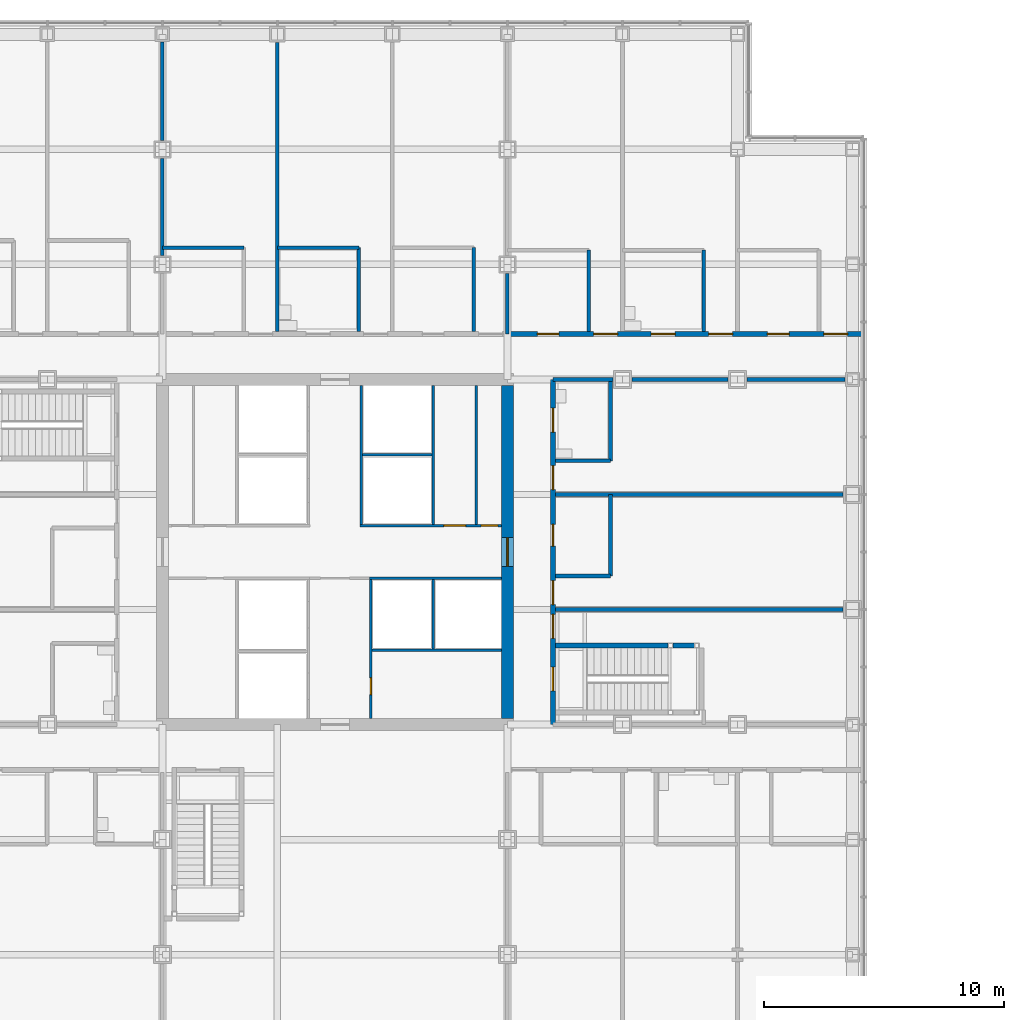
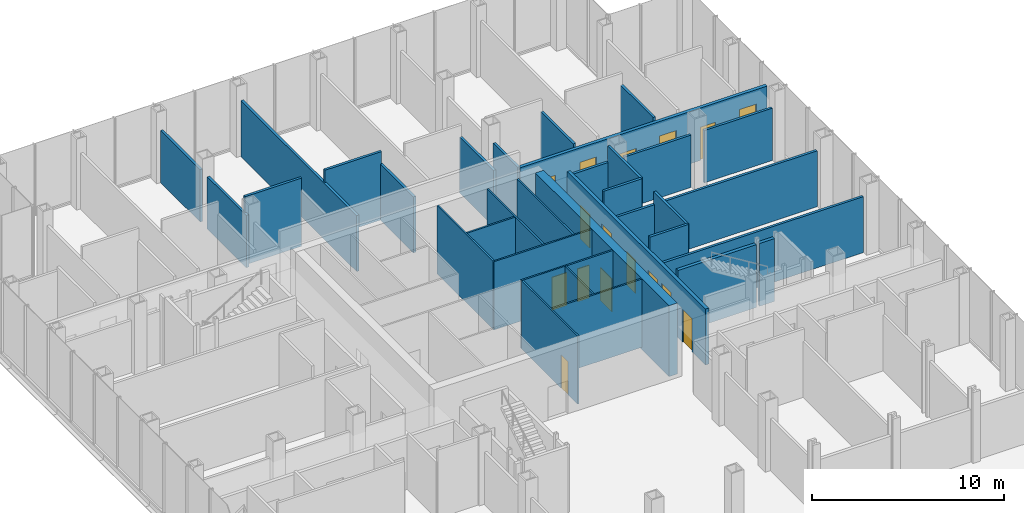
# One storey, part 22 of 25: 33 walls, 16 doors, 16 openings.
"""IFC4 building model written with IfcOpenShell, lengths in metres."""

from ifc_helpers import new_model, si_unit, direction, frame, frame_2d, origin, place, context, subcontext, project, spatial, rectangle, extrude, material, layer, layer_set, type_object, element, fill, save


model = new_model("IFC4")

# Units and contexts
model_context = context("Model", 3, precision=1e-05, world=origin(), true_north=direction((0.0, 1.0)))
body_context = subcontext(model_context, "Body", "Model", "MODEL_VIEW")
ifc_project = project(units=[si_unit("LENGTHUNIT", "METRE"), si_unit("AREAUNIT", "SQUARE_METRE"), si_unit("VOLUMEUNIT", "CUBIC_METRE"), si_unit("PLANEANGLEUNIT", "RADIAN"), si_unit("MASSUNIT", "GRAM", prefix="KILO")], contexts=[model_context])

# Site, building, storey
site_placement = place(None, origin())
site = spatial("IfcSite", under=ifc_project, at=site_placement, CompositionType="ELEMENT")
building_placement = place(site_placement, origin())
building = spatial("IfcBuilding", under=site, at=building_placement, Name="Kvirike Care Tower", CompositionType="ELEMENT")
storey_placement = place(building_placement, frame((0.0, 0.0, 13.5)))
storey = spatial("IfcBuildingStorey", under=building, at=storey_placement, Name="L03", CompositionType="ELEMENT", Elevation=13.5)

# Walls
ifc_material_1 = material(Name="Plasterboard partition", Category="gypsum")
ifc_layer_1 = layer(ifc_material_1, 0.14990234375)
ifc_layer_set_1 = layer_set([ifc_layer_1], Name="CLINIC PARTITION 150")
wall_type_1 = type_object("IfcWallType", Name="CLINIC PARTITION 150", PredefinedType="PARTITIONING", material=ifc_layer_set_1)
for number, where, z_axis, x_axis, name in (
    (1, (27.39990234375, 48.699951171875, 0.0), (0.0, 0.0, 1.0), (0.0, -1.0, 0.0), "Clinic Partition 150 L03"),
    (2, (22.60009765625, 48.699951171875, 0.0), (0.0, 0.0, 1.0), (0.0, -1.0, 0.0), "Clinic Partition 150 L03"),
):
    element("IfcWall", number, at=place(storey_placement, frame(where, z_axis=z_axis, x_axis=x_axis)), inside=storey, type_object=wall_type_1, Name=name, PredefinedType="PARTITIONING", context=body_context, shape_type="SweptSolid", body=[
        extrude(rectangle(XDim=3.5, YDim=0.14990234375, at=frame_2d((1.75, 0.0))), origin(), (0.0, 0.0, 1.0), 3.550048828125),
    ])
for number, where, z_axis, x_axis, name in (
    (3, (22.60009765625, 48.699951171875, 0.0), (0.0, 0.0, 1.0), (-1.0, 0.0, 0.0), "Clinic Partition 150 L03"),
    (4, (17.800048828125, 48.699951171875, 0.0), (0.0, 0.0, 1.0), (-1.0, 0.0, 0.0), "Clinic Partition 150 L03"),
):
    element("IfcWall", number, at=place(storey_placement, frame(where, z_axis=z_axis, x_axis=x_axis)), inside=storey, type_object=wall_type_1, Name=name, PredefinedType="PARTITIONING", context=body_context, shape_type="SweptSolid", body=[
        extrude(rectangle(XDim=3.400146484375, YDim=0.14990234375, at=frame_2d((1.7001953125, 0.0))), origin(), (0.0, 0.0, 1.0), 4.330078125),
    ])
wall_1_placement = place(storey_placement, frame((19.199951171875, 57.2548828125, 0.0), z_axis=(0.0, 0.0, 1.0), x_axis=(0.0, -1.0, 0.0)))
element("IfcWall", 5, at=wall_1_placement, inside=storey, type_object=wall_type_1, Name="Clinic Partition 150 L03", PredefinedType="PARTITIONING", context=body_context, shape_type="SweptSolid", body=[
    extrude(rectangle(XDim=12.054931640625, YDim=0.14990234375, at=frame_2d((6.02734375, 0.0))), origin(), (0.0, 0.0, 1.0), 3.550048828125),
])
wall_2_placement = place(storey_placement, frame((33.10009765625, 35.0, 0.0), z_axis=(0.0, 0.0, 1.0), x_axis=(-1.0, 0.0, 0.0)))
element("IfcWall", 6, at=wall_2_placement, inside=storey, type_object=wall_type_1, Name="Clinic Partition 150 L03", PredefinedType="PARTITIONING", context=body_context, shape_type="SweptSolid", body=[
    extrude(rectangle(XDim=2.300048828125, YDim=0.14990234375, at=frame_2d((1.14990234375, 0.0))), origin(), (0.0, 0.0, 1.0), 4.330078125),
])
wall_3_placement = place(storey_placement, frame((33.10009765625, 35.0, 0.0), z_axis=(0.0, 0.0, 1.0), x_axis=(0.0, 1.0, 0.0)))
element("IfcWall", 7, at=wall_3_placement, inside=storey, type_object=wall_type_1, Name="Clinic Partition 150 L03", PredefinedType="PARTITIONING", context=body_context, shape_type="SweptSolid", body=[
    extrude(rectangle(XDim=3.39990234375, YDim=0.14990234375, at=frame_2d((1.699951171875, 0.0))), origin(), (0.0, 0.0, 1.0), 4.330078125),
])
wall_4_placement = place(storey_placement, frame((33.10009765625, 39.800048828125, 0.0), z_axis=(0.0, 0.0, 1.0), x_axis=(-1.0, 0.0, 0.0)))
element("IfcWall", 8, at=wall_4_placement, inside=storey, type_object=wall_type_1, Name="Clinic Partition 150 L03", PredefinedType="PARTITIONING", context=body_context, shape_type="SweptSolid", body=[
    extrude(rectangle(XDim=2.300048828125, YDim=0.14990234375, at=frame_2d((1.14990234375, 0.0))), origin(), (0.0, 0.0, 1.0), 4.330078125),
])
wall_5_placement = place(storey_placement, frame((33.10009765625, 39.800048828125, 0.0), z_axis=(0.0, 0.0, 1.0), x_axis=(0.0, 1.0, 0.0)))
element("IfcWall", 9, at=wall_5_placement, inside=storey, type_object=wall_type_1, Name="Clinic Partition 150 L03", PredefinedType="PARTITIONING", context=body_context, shape_type="SweptSolid", body=[
    extrude(rectangle(XDim=3.39990234375, YDim=0.14990234375, at=frame_2d((1.699951171875, 0.0))), origin(), (0.0, 0.0, 1.0), 4.330078125),
])
for number, where, z_axis, x_axis, name in (
    (10, (42.804931640625, 33.60009765625, 0.0), (0.0, 0.0, 1.0), (-1.0, 0.0, 0.0), "Clinic Partition 150 L03"),
    (11, (42.804931640625, 38.39990234375, 0.0), (0.0, 0.0, 1.0), (-1.0, 0.0, 0.0), "Clinic Partition 150 L03"),
):
    element("IfcWall", number, at=place(storey_placement, frame(where, z_axis=z_axis, x_axis=x_axis)), inside=storey, type_object=wall_type_1, Name=name, PredefinedType="PARTITIONING", context=body_context, shape_type="SweptSolid", body=[
        extrude(rectangle(XDim=12.0048828125, YDim=0.14990234375, at=frame_2d((6.00244140625, 0.0))), origin(), (0.0, 0.0, 1.0), 3.550048828125),
    ])
for number, where, z_axis, x_axis, name in (
    (12, (37.0, 48.60009765625, 0.0), (0.0, 0.0, 1.0), (0.0, -1.0, 0.0), "Clinic Partition 150 L03"),
    (13, (32.199951171875, 48.60009765625, 0.0), (0.0, 0.0, 1.0), (0.0, -1.0, 0.0), "Clinic Partition 150 L03"),
):
    element("IfcWall", number, at=place(storey_placement, frame(where, z_axis=z_axis, x_axis=x_axis)), inside=storey, type_object=wall_type_1, Name=name, PredefinedType="PARTITIONING", context=body_context, shape_type="SweptSolid", body=[
        extrude(rectangle(XDim=3.400146484375, YDim=0.14990234375, at=frame_2d((1.7001953125, 0.0))), origin(), (0.0, 0.0, 1.0), 3.550048828125),
    ])
wall_6_placement = place(storey_placement, frame((14.39990234375, 48.3701171875, 0.0), z_axis=(0.0, 0.0, 1.0), x_axis=(0.0, 1.0, 0.0)))
element("IfcWall", 14, at=wall_6_placement, inside=storey, type_object=wall_type_1, Name="Clinic Partition 150 L03", PredefinedType="PARTITIONING", context=body_context, shape_type="SweptSolid", body=[
    extrude(rectangle(XDim=4.059814453125, YDim=0.14990234375, at=frame_2d((2.02978515625, 0.0))), origin(), (0.0, 0.0, 1.0), 3.320068359375),
])
wall_7_placement = place(storey_placement, frame((14.39990234375, 53.169921875, 0.0), z_axis=(0.0, 0.0, 1.0), x_axis=(0.0, 1.0, 0.0)))
element("IfcWall", 15, at=wall_7_placement, inside=storey, type_object=wall_type_1, Name="Clinic Partition 150 L03", PredefinedType="PARTITIONING", context=body_context, shape_type="SweptSolid", body=[
    extrude(rectangle(XDim=4.110107421875, YDim=0.14990234375, at=frame_2d((2.05517578125, 0.0))), origin(), (0.0, 0.0, 1.0), 3.320068359375),
])
wall_8_placement = place(storey_placement, frame((28.800048828125, 45.10009765625, 0.0), z_axis=(0.0, 0.0, 1.0), x_axis=(0.0, 1.0, 0.0)))
element("IfcWall", 16, at=wall_8_placement, inside=storey, type_object=wall_type_1, Name="Clinic Partition 150 L03", PredefinedType="PARTITIONING", context=body_context, shape_type="SweptSolid", body=[
    extrude(rectangle(XDim=2.52978515625, YDim=0.14990234375, at=frame_2d((1.264892578125, 0.0))), origin(), (0.0, 0.0, 1.0), 3.320068359375),
])
wall_9_placement = place(storey_placement, frame((42.8798828125, 43.199951171875, 0.0), z_axis=(0.0, 0.0, 1.0), x_axis=(-1.0, 0.0, 0.0)))
element("IfcWall", 17, at=wall_9_placement, inside=storey, type_object=wall_type_1, Name="Clinic Partition 150 L03", PredefinedType="PARTITIONING", context=body_context, shape_type="SweptSolid", body=[
    extrude(rectangle(XDim=4.0849609375, YDim=0.14990234375, at=frame_2d((2.04248046875, 0.0))), origin(), (0.0, 0.0, 1.0), 3.320068359375),
])
wall_10_placement = place(storey_placement, frame((38.0048828125, 43.199951171875, 0.0), z_axis=(0.0, 0.0, 1.0), x_axis=(-1.0, 0.0, 0.0)))
element("IfcWall", 18, at=wall_10_placement, inside=storey, type_object=wall_type_1, Name="Clinic Partition 150 L03", PredefinedType="PARTITIONING", context=body_context, shape_type="SweptSolid", body=[
    extrude(rectangle(XDim=4.009765625, YDim=0.14990234375, at=frame_2d((2.0048828125, 0.0))), origin(), (0.0, 0.0, 1.0), 3.320068359375),
])
wall_11_placement = place(storey_placement, frame((33.205078125, 43.199951171875, 0.0), z_axis=(0.0, 0.0, 1.0), x_axis=(-1.0, 0.0, 0.0)))
element("IfcWall", 19, at=wall_11_placement, inside=storey, type_object=wall_type_1, Name="Clinic Partition 150 L03", PredefinedType="PARTITIONING", context=body_context, shape_type="SweptSolid", body=[
    extrude(rectangle(XDim=2.505126953125, YDim=0.14990234375, at=frame_2d((1.25244140625, 0.0))), origin(), (0.0, 0.0, 1.0), 3.320068359375),
])

# Wall, opening, door
ifc_material_2 = material(Name="Concrete C60/75", Category="concrete")
ifc_layer_2 = layer(ifc_material_2, 0.5)
ifc_layer_set_2 = layer_set([ifc_layer_2], Name="CORE WALL 500 C60-75")
wall_type_2 = type_object("IfcWallType", Name="CORE WALL 500 C60-75", PredefinedType="SHEAR", material=ifc_layer_set_2)
wall_12_placement = place(storey_placement, frame((28.800048828125, 29.050048828125, -0.169921875), z_axis=(0.0, 0.0, 1.0), x_axis=(0.0, 1.0, 0.0)))
wall_12 = element("IfcWall", 20, at=wall_12_placement, inside=storey, type_object=wall_type_2, Name="Core wall E L03", PredefinedType="SHEAR", context=body_context, shape_type="SweptSolid", body=[
    extrude(rectangle(XDim=13.89990234375, YDim=0.5, at=frame_2d((6.949951171875, 0.0))), origin(), (0.0, 0.0, 1.0), 4.5),
])
opening_1_placement = place(wall_12_placement, frame((6.35009765625, 0.0, 0.169921875)))
opening_1 = element("IfcOpeningElement", 21, at=opening_1_placement, cuts=wall_12, Name="Opening 03-060", PredefinedType="OPENING", context=body_context, shape_type="SweptSolid", body=[
    extrude(rectangle(XDim=1.199951171875, YDim=2.10009765625, at=frame_2d((0.60009765625, 1.050048828125))), frame((0.0, 0.260498046875, 0.0), z_axis=(0.0, -1.0, 0.0), x_axis=(1.0, 0.0, 0.0)), (0.0, 0.0, 1.0), 0.52099609375),
])
ifc_material_3 = material(Name="Timber door set", Category="wood")
door_type_1 = type_object("IfcDoorType", Name="CORE DOOR 1200", OperationType="SINGLE_SWING_LEFT", PredefinedType="DOOR", material=ifc_material_3)
door_1_placement = place(opening_1_placement, origin())
door_1 = element("IfcDoor", 22, at=door_1_placement, inside=storey, type_object=door_type_1, Name="Core door E L03", OperationType="SINGLE_SWING_LEFT", OverallHeight=2.10009765625, OverallWidth=1.199951171875, PredefinedType="DOOR", context=body_context, shape_type="SweptSolid", body=[
    extrude(rectangle(XDim=1.199951171875, YDim=2.10009765625, at=frame_2d((0.60009765625, 1.050048828125))), frame((0.0, 0.02685546875, 0.0), z_axis=(0.0, -1.0, 0.0), x_axis=(1.0, 0.0, 0.0)), (0.0, 0.0, 1.0), 0.053955078125),
])
fill(opening_1, door_1)

# Wall, openings, doors
ifc_material_4 = material(Name="Plasterboard corridor wall", Category="gypsum")
ifc_layer_3 = layer(ifc_material_4, 0.199951171875)
ifc_layer_set_3 = layer_set([ifc_layer_3], Name="CORRIDOR WALL 200")
wall_type_3 = type_object("IfcWallType", Name="CORRIDOR WALL 200", PredefinedType="PARTITIONING", material=ifc_layer_set_3)
wall_13_placement = place(storey_placement, frame((30.699951171875, 28.800048828125, 0.0), z_axis=(0.0, 0.0, 1.0), x_axis=(0.0, 1.0, 0.0)))
wall_13 = element("IfcWall", 23, at=wall_13_placement, inside=storey, type_object=wall_type_3, Name="Corridor Wall 200 L03", PredefinedType="PARTITIONING", context=body_context, shape_type="SweptSolid", body=[
    extrude(rectangle(XDim=14.39990234375, YDim=0.199951171875, at=frame_2d((7.199951171875, 0.0))), origin(), (0.0, 0.0, 1.0), 3.550048828125),
])
opening_2_placement = place(wall_13_placement, frame((1.39990234375, 0.0, 0.0)))
opening_2 = element("IfcOpeningElement", 24, at=opening_2_placement, cuts=wall_13, Name="Opening 03-031", PredefinedType="OPENING", context=body_context, shape_type="SweptSolid", body=[
    extrude(rectangle(XDim=1.0, YDim=2.10009765625, at=frame_2d((0.5, 1.050048828125))), frame((0.0, 0.110595703125, 0.0), z_axis=(0.0, -1.0, 0.0), x_axis=(1.0, 0.0, 0.0)), (0.0, 0.0, 1.0), 0.220947265625),
])
opening_3_placement = place(wall_13_placement, frame((3.60009765625, 0.0, 0.0)))
opening_3 = element("IfcOpeningElement", 25, at=opening_3_placement, cuts=wall_13, Name="Opening 03-032", PredefinedType="OPENING", context=body_context, shape_type="SweptSolid", body=[
    extrude(rectangle(XDim=1.0, YDim=2.39990234375, at=frame_2d((0.5, 1.199951171875))), frame((0.0, 0.110595703125, 0.0), z_axis=(0.0, -1.0, 0.0), x_axis=(1.0, 0.0, 0.0)), (0.0, 0.0, 1.0), 0.220947265625),
])
opening_4_placement = place(wall_13_placement, frame((5.0, 0.0, 0.0)))
opening_4 = element("IfcOpeningElement", 26, at=opening_4_placement, cuts=wall_13, Name="Opening 03-033", PredefinedType="OPENING", context=body_context, shape_type="SweptSolid", body=[
    extrude(rectangle(XDim=1.0, YDim=2.39990234375, at=frame_2d((0.5, 1.199951171875))), frame((0.0, 0.110595703125, 0.0), z_axis=(0.0, -1.0, 0.0), x_axis=(1.0, 0.0, 0.0)), (0.0, 0.0, 1.0), 0.220947265625),
])
opening_5_placement = place(wall_13_placement, frame((9.800048828125, 0.0, 0.0)))
opening_5 = element("IfcOpeningElement", 27, at=opening_5_placement, cuts=wall_13, Name="Opening 03-034", PredefinedType="OPENING", context=body_context, shape_type="SweptSolid", body=[
    extrude(rectangle(XDim=1.0, YDim=2.39990234375, at=frame_2d((0.5, 1.199951171875))), frame((0.0, 0.110595703125, 0.0), z_axis=(0.0, -1.0, 0.0), x_axis=(1.0, 0.0, 0.0)), (0.0, 0.0, 1.0), 0.220947265625),
])
opening_6_placement = place(wall_13_placement, frame((7.449951171875, 0.0, 0.0)))
opening_6 = element("IfcOpeningElement", 28, at=opening_6_placement, cuts=wall_13, Name="Opening 03-035", PredefinedType="OPENING", context=body_context, shape_type="SweptSolid", body=[
    extrude(rectangle(XDim=0.89990234375, YDim=2.10009765625, at=frame_2d((0.449951171875, 1.050048828125))), frame((0.0, 0.110595703125, 0.0), z_axis=(0.0, -1.0, 0.0), x_axis=(1.0, 0.0, 0.0)), (0.0, 0.0, 1.0), 0.220947265625),
])
opening_7_placement = place(wall_13_placement, frame((12.199951171875, 0.0, 0.0)))
opening_7 = element("IfcOpeningElement", 29, at=opening_7_placement, cuts=wall_13, Name="Opening 03-036", PredefinedType="OPENING", context=body_context, shape_type="SweptSolid", body=[
    extrude(rectangle(XDim=1.0, YDim=2.10009765625, at=frame_2d((0.5, 1.050048828125))), frame((0.0, 0.110595703125, 0.0), z_axis=(0.0, -1.0, 0.0), x_axis=(1.0, 0.0, 0.0)), (0.0, 0.0, 1.0), 0.220947265625),
])
ifc_material_5 = material(Name="Timber door set", Category="wood")
door_type_2 = type_object("IfcDoorType", Name="CONSULTING ROOM DOOR 1000", OperationType="SINGLE_SWING_LEFT", PredefinedType="DOOR", material=ifc_material_5)
door_2_placement = place(opening_3_placement, frame((1.0, 0.0, 0.0), z_axis=(0.0, 0.0, 1.0), x_axis=(-1.0, 0.0, 0.0)))
door_2 = element("IfcDoor", 30, at=door_2_placement, inside=storey, type_object=door_type_2, Name="Library door", OperationType="SINGLE_SWING_LEFT", OverallHeight=2.39990234375, OverallWidth=1.0, PredefinedType="DOOR", context=body_context, shape_type="SweptSolid", body=[
    extrude(rectangle(XDim=1.0, YDim=2.39990234375, at=frame_2d((0.5, 1.199951171875))), frame((0.0, 0.02685546875, 0.0), z_axis=(0.0, -1.0, 0.0), x_axis=(1.0, 0.0, 0.0)), (0.0, 0.0, 1.0), 0.053955078125),
])
fill(opening_3, door_2)
door_3_placement = place(opening_4_placement, frame((1.0, 0.0, 0.0), z_axis=(0.0, 0.0, 1.0), x_axis=(-1.0, 0.0, 0.0)))
door_3 = element("IfcDoor", 31, at=door_3_placement, inside=storey, type_object=door_type_2, Name="Reading room door", OperationType="SINGLE_SWING_RIGHT", OverallHeight=2.39990234375, OverallWidth=1.0, PredefinedType="DOOR", context=body_context, shape_type="SweptSolid", body=[
    extrude(rectangle(XDim=1.0, YDim=2.39990234375, at=frame_2d((0.5, 1.199951171875))), frame((0.0, 0.02685546875, 0.0), z_axis=(0.0, -1.0, 0.0), x_axis=(1.0, 0.0, 0.0)), (0.0, 0.0, 1.0), 0.053955078125),
])
fill(opening_4, door_3)
door_4_placement = place(opening_5_placement, frame((1.0, 0.0, 0.0), z_axis=(0.0, 0.0, 1.0), x_axis=(-1.0, 0.0, 0.0)))
door_4 = element("IfcDoor", 32, at=door_4_placement, inside=storey, type_object=door_type_2, Name="Reading room door", OperationType="SINGLE_SWING_RIGHT", OverallHeight=2.39990234375, OverallWidth=1.0, PredefinedType="DOOR", context=body_context, shape_type="SweptSolid", body=[
    extrude(rectangle(XDim=1.0, YDim=2.39990234375, at=frame_2d((0.5, 1.199951171875))), frame((0.0, 0.02685546875, 0.0), z_axis=(0.0, -1.0, 0.0), x_axis=(1.0, 0.0, 0.0)), (0.0, 0.0, 1.0), 0.053955078125),
])
fill(opening_5, door_4)
ifc_material_6 = material(Name="Timber door set", Category="wood")
door_type_3 = type_object("IfcDoorType", Name="STAIR DOOR 1000", OperationType="SINGLE_SWING_LEFT", PredefinedType="DOOR", material=ifc_material_6)
door_5_placement = place(opening_2_placement, frame((1.0, 0.0, 0.0), z_axis=(0.0, 0.0, 1.0), x_axis=(-1.0, 0.0, 0.0)))
door_5 = element("IfcDoor", 33, at=door_5_placement, inside=storey, type_object=door_type_3, Name="Stair 2 door", OperationType="SINGLE_SWING_RIGHT", OverallHeight=2.10009765625, OverallWidth=1.0, PredefinedType="DOOR", context=body_context, shape_type="SweptSolid", body=[
    extrude(rectangle(XDim=1.0, YDim=2.10009765625, at=frame_2d((0.5, 1.050048828125))), frame((0.0, 0.031982421875, 0.0), z_axis=(0.0, -1.0, 0.0), x_axis=(1.0, 0.0, 0.0)), (0.0, 0.0, 1.0), 0.06396484375),
])
fill(opening_2, door_5)
ifc_material_7 = material(Name="Timber door set", Category="wood")
door_type_4 = type_object("IfcDoorType", Name="STORE DOOR 900", OperationType="SINGLE_SWING_LEFT", PredefinedType="DOOR", material=ifc_material_7)
door_6_placement = place(opening_6_placement, frame((0.89990234375, 0.0, 0.0), z_axis=(0.0, 0.0, 1.0), x_axis=(-1.0, 0.0, 0.0)))
door_6 = element("IfcDoor", 34, at=door_6_placement, inside=storey, type_object=door_type_4, Name="Store door", OperationType="SINGLE_SWING_LEFT", OverallHeight=2.10009765625, OverallWidth=0.89990234375, PredefinedType="DOOR", context=body_context, shape_type="SweptSolid", body=[
    extrude(rectangle(XDim=0.89990234375, YDim=2.10009765625, at=frame_2d((0.449951171875, 1.050048828125))), frame((0.0, 0.02685546875, 0.0), z_axis=(0.0, -1.0, 0.0), x_axis=(1.0, 0.0, 0.0)), (0.0, 0.0, 1.0), 0.053955078125),
])
fill(opening_6, door_6)
ifc_material_8 = material(Name="Timber door set", Category="wood")
door_type_5 = type_object("IfcDoorType", Name="WC DOOR 1000", OperationType="SINGLE_SWING_LEFT", PredefinedType="DOOR", material=ifc_material_8)
door_7_placement = place(opening_7_placement, frame((1.0, 0.0, 0.0), z_axis=(0.0, 0.0, 1.0), x_axis=(-1.0, 0.0, 0.0)))
door_7 = element("IfcDoor", 35, at=door_7_placement, inside=storey, type_object=door_type_5, Name="Staff WC door", OperationType="SINGLE_SWING_LEFT", OverallHeight=2.10009765625, OverallWidth=1.0, PredefinedType="DOOR", context=body_context, shape_type="SweptSolid", body=[
    extrude(rectangle(XDim=1.0, YDim=2.10009765625, at=frame_2d((0.5, 1.050048828125))), frame((0.0, 0.02685546875, 0.0), z_axis=(0.0, -1.0, 0.0), x_axis=(1.0, 0.0, 0.0)), (0.0, 0.0, 1.0), 0.053955078125),
])
fill(opening_7, door_7)

wall_14_placement = place(storey_placement, frame((43.655029296875, 45.10009765625, 0.0), z_axis=(0.0, 0.0, 1.0), x_axis=(-1.0, 0.0, 0.0)))
wall_14 = element("IfcWall", 36, at=wall_14_placement, inside=storey, type_object=wall_type_3, Name="Corridor Wall 200 L03", PredefinedType="PARTITIONING", context=body_context, shape_type="SweptSolid", body=[
    extrude(rectangle(XDim=14.85498046875, YDim=0.199951171875, at=frame_2d((7.427490234375, 0.0))), origin(), (0.0, 0.0, 1.0), 3.320068359375),
])
opening_8_placement = place(wall_14_placement, frame((0.655029296875, 0.0, 0.0)))
opening_8 = element("IfcOpeningElement", 37, at=opening_8_placement, cuts=wall_14, Name="Opening 03-037", PredefinedType="OPENING", context=body_context, shape_type="SweptSolid", body=[
    extrude(rectangle(XDim=1.0, YDim=2.39990234375, at=frame_2d((0.5, 1.199951171875))), frame((0.0, 0.110595703125, 0.0), z_axis=(0.0, -1.0, 0.0), x_axis=(1.0, 0.0, 0.0)), (0.0, 0.0, 1.0), 0.220947265625),
])
opening_9_placement = place(wall_14_placement, frame((5.455078125, 0.0, 0.0)))
opening_9 = element("IfcOpeningElement", 38, at=opening_9_placement, cuts=wall_14, Name="Opening 03-038", PredefinedType="OPENING", context=body_context, shape_type="SweptSolid", body=[
    extrude(rectangle(XDim=1.0, YDim=2.39990234375, at=frame_2d((0.5, 1.199951171875))), frame((0.0, 0.110595703125, 0.0), z_axis=(0.0, -1.0, 0.0), x_axis=(1.0, 0.0, 0.0)), (0.0, 0.0, 1.0), 0.220947265625),
])
opening_10_placement = place(wall_14_placement, frame((10.2548828125, 0.0, 0.0)))
opening_10 = element("IfcOpeningElement", 39, at=opening_10_placement, cuts=wall_14, Name="Opening 03-039", PredefinedType="OPENING", context=body_context, shape_type="SweptSolid", body=[
    extrude(rectangle(XDim=1.0, YDim=2.39990234375, at=frame_2d((0.5, 1.199951171875))), frame((0.0, 0.110595703125, 0.0), z_axis=(0.0, -1.0, 0.0), x_axis=(1.0, 0.0, 0.0)), (0.0, 0.0, 1.0), 0.220947265625),
])
opening_11_placement = place(wall_14_placement, frame((3.10498046875, 0.0, 0.0)))
opening_11 = element("IfcOpeningElement", 40, at=opening_11_placement, cuts=wall_14, Name="Opening 03-040", PredefinedType="OPENING", context=body_context, shape_type="SweptSolid", body=[
    extrude(rectangle(XDim=0.89990234375, YDim=2.10009765625, at=frame_2d((0.449951171875, 1.050048828125))), frame((0.0, 0.110595703125, 0.0), z_axis=(0.0, -1.0, 0.0), x_axis=(1.0, 0.0, 0.0)), (0.0, 0.0, 1.0), 0.220947265625),
])
opening_12_placement = place(wall_14_placement, frame((7.85498046875, 0.0, 0.0)))
opening_12 = element("IfcOpeningElement", 41, at=opening_12_placement, cuts=wall_14, Name="Opening 03-041", PredefinedType="OPENING", context=body_context, shape_type="SweptSolid", body=[
    extrude(rectangle(XDim=1.0, YDim=2.10009765625, at=frame_2d((0.5, 1.050048828125))), frame((0.0, 0.110595703125, 0.0), z_axis=(0.0, -1.0, 0.0), x_axis=(1.0, 0.0, 0.0)), (0.0, 0.0, 1.0), 0.220947265625),
])
opening_13_placement = place(wall_14_placement, frame((12.705078125, 0.0, 0.0)))
opening_13 = element("IfcOpeningElement", 42, at=opening_13_placement, cuts=wall_14, Name="Opening 03-042", PredefinedType="OPENING", context=body_context, shape_type="SweptSolid", body=[
    extrude(rectangle(XDim=0.89990234375, YDim=2.10009765625, at=frame_2d((0.449951171875, 1.050048828125))), frame((0.0, 0.110595703125, 0.0), z_axis=(0.0, -1.0, 0.0), x_axis=(1.0, 0.0, 0.0)), (0.0, 0.0, 1.0), 0.220947265625),
])
door_8_placement = place(opening_8_placement, frame((1.0, 0.0, 0.0), z_axis=(0.0, 0.0, 1.0), x_axis=(-1.0, 0.0, 0.0)))
door_8 = element("IfcDoor", 43, at=door_8_placement, inside=storey, type_object=door_type_2, Name="Hobby workshop door", OperationType="SINGLE_SWING_RIGHT", OverallHeight=2.39990234375, OverallWidth=1.0, PredefinedType="DOOR", context=body_context, shape_type="SweptSolid", body=[
    extrude(rectangle(XDim=1.0, YDim=2.39990234375, at=frame_2d((0.5, 1.199951171875))), frame((0.0, 0.02685546875, 0.0), z_axis=(0.0, -1.0, 0.0), x_axis=(1.0, 0.0, 0.0)), (0.0, 0.0, 1.0), 0.053955078125),
])
fill(opening_8, door_8)
door_9_placement = place(opening_9_placement, frame((1.0, 0.0, 0.0), z_axis=(0.0, 0.0, 1.0), x_axis=(-1.0, 0.0, 0.0)))
door_9 = element("IfcDoor", 44, at=door_9_placement, inside=storey, type_object=door_type_2, Name="Hobby workshop door", OperationType="SINGLE_SWING_RIGHT", OverallHeight=2.39990234375, OverallWidth=1.0, PredefinedType="DOOR", context=body_context, shape_type="SweptSolid", body=[
    extrude(rectangle(XDim=1.0, YDim=2.39990234375, at=frame_2d((0.5, 1.199951171875))), frame((0.0, 0.02685546875, 0.0), z_axis=(0.0, -1.0, 0.0), x_axis=(1.0, 0.0, 0.0)), (0.0, 0.0, 1.0), 0.053955078125),
])
fill(opening_9, door_9)
door_10_placement = place(opening_10_placement, frame((1.0, 0.0, 0.0), z_axis=(0.0, 0.0, 1.0), x_axis=(-1.0, 0.0, 0.0)))
door_10 = element("IfcDoor", 45, at=door_10_placement, inside=storey, type_object=door_type_2, Name="Music practice room door", OperationType="SINGLE_SWING_RIGHT", OverallHeight=2.39990234375, OverallWidth=1.0, PredefinedType="DOOR", context=body_context, shape_type="SweptSolid", body=[
    extrude(rectangle(XDim=1.0, YDim=2.39990234375, at=frame_2d((0.5, 1.199951171875))), frame((0.0, 0.02685546875, 0.0), z_axis=(0.0, -1.0, 0.0), x_axis=(1.0, 0.0, 0.0)), (0.0, 0.0, 1.0), 0.053955078125),
])
fill(opening_10, door_10)
door_11_placement = place(opening_11_placement, frame((0.89990234375, 0.0, 0.0), z_axis=(0.0, 0.0, 1.0), x_axis=(-1.0, 0.0, 0.0)))
door_11 = element("IfcDoor", 46, at=door_11_placement, inside=storey, type_object=door_type_4, Name="Store door", OperationType="SINGLE_SWING_RIGHT", OverallHeight=2.10009765625, OverallWidth=0.89990234375, PredefinedType="DOOR", context=body_context, shape_type="SweptSolid", body=[
    extrude(rectangle(XDim=0.89990234375, YDim=2.10009765625, at=frame_2d((0.449951171875, 1.050048828125))), frame((0.0, 0.02685546875, 0.0), z_axis=(0.0, -1.0, 0.0), x_axis=(1.0, 0.0, 0.0)), (0.0, 0.0, 1.0), 0.053955078125),
])
fill(opening_11, door_11)
door_12_placement = place(opening_13_placement, frame((0.89990234375, 0.0, 0.0), z_axis=(0.0, 0.0, 1.0), x_axis=(-1.0, 0.0, 0.0)))
door_12 = element("IfcDoor", 47, at=door_12_placement, inside=storey, type_object=door_type_4, Name="Store door", OperationType="SINGLE_SWING_LEFT", OverallHeight=2.10009765625, OverallWidth=0.89990234375, PredefinedType="DOOR", context=body_context, shape_type="SweptSolid", body=[
    extrude(rectangle(XDim=0.89990234375, YDim=2.10009765625, at=frame_2d((0.449951171875, 1.050048828125))), frame((0.0, 0.02685546875, 0.0), z_axis=(0.0, -1.0, 0.0), x_axis=(1.0, 0.0, 0.0)), (0.0, 0.0, 1.0), 0.053955078125),
])
fill(opening_13, door_12)
door_13_placement = place(opening_12_placement, frame((1.0, 0.0, 0.0), z_axis=(0.0, 0.0, 1.0), x_axis=(-1.0, 0.0, 0.0)))
door_13 = element("IfcDoor", 48, at=door_13_placement, inside=storey, type_object=door_type_5, Name="Staff WC door", OperationType="SINGLE_SWING_RIGHT", OverallHeight=2.10009765625, OverallWidth=1.0, PredefinedType="DOOR", context=body_context, shape_type="SweptSolid", body=[
    extrude(rectangle(XDim=1.0, YDim=2.10009765625, at=frame_2d((0.5, 1.050048828125))), frame((0.0, 0.02685546875, 0.0), z_axis=(0.0, -1.0, 0.0), x_axis=(1.0, 0.0, 0.0)), (0.0, 0.0, 1.0), 0.053955078125),
])
fill(opening_12, door_13)

# Walls
ifc_material_9 = material(Name="Gypsum shaft wall system", Category="gypsum")
ifc_layer_4 = layer(ifc_material_9, 0.10009765625)
ifc_layer_set_4 = layer_set([ifc_layer_4], Name="SHAFT WALL 100")
wall_type_4 = type_object("IfcWallType", Name="SHAFT WALL 100", PredefinedType="SOLIDWALL", material=ifc_layer_set_4)
for number, where, z_axis, x_axis, name in (
    (49, (27.5, 37.14990234375, 0.0), (0.0, 0.0, 1.0), (0.0, 1.0, 0.0), "Shaft Wall 100 L03"),
    (50, (22.699951171875, 37.14990234375, 0.0), (0.0, 0.0, 1.0), (0.0, 1.0, 0.0), "Shaft Wall 100 L03"),
):
    element("IfcWall", number, at=place(storey_placement, frame(where, z_axis=z_axis, x_axis=x_axis)), inside=storey, type_object=wall_type_4, Name=name, PredefinedType="SOLIDWALL", context=body_context, shape_type="SweptSolid", body=[
        extrude(rectangle(XDim=5.800048828125, YDim=0.10009765625, at=frame_2d((2.89990234375, 0.0))), origin(), (0.0, 0.0, 1.0), 4.330078125),
    ])

# Wall, opening, door
wall_15_placement = place(storey_placement, frame((23.10009765625, 29.050048828125, 0.0), z_axis=(0.0, 0.0, 1.0), x_axis=(0.0, 1.0, 0.0)))
wall_15 = element("IfcWall", 51, at=wall_15_placement, inside=storey, type_object=wall_type_4, Name="Shaft Wall 100 L03", PredefinedType="SOLIDWALL", context=body_context, shape_type="SweptSolid", body=[
    extrude(rectangle(XDim=5.800048828125, YDim=0.10009765625, at=frame_2d((2.89990234375, 0.0))), origin(), (0.0, 0.0, 1.0), 4.330078125),
])
opening_14_placement = place(wall_15_placement, frame((1.0, 0.0, 0.0)))
opening_14 = element("IfcOpeningElement", 52, at=opening_14_placement, cuts=wall_15, Name="Opening 03-051", PredefinedType="OPENING", context=body_context, shape_type="SweptSolid", body=[
    extrude(rectangle(XDim=0.699951171875, YDim=2.10009765625, at=frame_2d((0.35009765625, 1.050048828125))), frame((0.0, 0.060546875, 0.0), z_axis=(0.0, -1.0, 0.0), x_axis=(1.0, 0.0, 0.0)), (0.0, 0.0, 1.0), 0.12109375),
])
ifc_material_10 = material(Name="Timber door set", Category="wood")
door_type_6 = type_object("IfcDoorType", Name="RISER DOOR 700", OperationType="SINGLE_SWING_LEFT", PredefinedType="DOOR", material=ifc_material_10)
door_14_placement = place(opening_14_placement, origin())
door_14 = element("IfcDoor", 53, at=door_14_placement, inside=storey, type_object=door_type_6, Name="Riser door", OperationType="SINGLE_SWING_RIGHT", OverallHeight=2.10009765625, OverallWidth=0.699951171875, PredefinedType="DOOR", context=body_context, shape_type="SweptSolid", body=[
    extrude(rectangle(XDim=0.699951171875, YDim=2.10009765625, at=frame_2d((0.35009765625, 1.050048828125))), frame((0.0, 0.02685546875, 0.0), z_axis=(0.0, -1.0, 0.0), x_axis=(1.0, 0.0, 0.0)), (0.0, 0.0, 1.0), 0.053955078125),
])
fill(opening_14, door_14)

# Wall
wall_16_placement = place(storey_placement, frame((23.050048828125, 34.89990234375, 0.0), z_axis=(0.0, 0.0, 1.0), x_axis=(1.0, 0.0, 0.0)))
element("IfcWall", 54, at=wall_16_placement, inside=storey, type_object=wall_type_4, Name="Shaft Wall 100 L03", PredefinedType="SOLIDWALL", context=body_context, shape_type="SweptSolid", body=[
    extrude(rectangle(XDim=5.5, YDim=0.10009765625, at=frame_2d((2.75, 0.0))), origin(), (0.0, 0.0, 1.0), 4.330078125),
])

# Wall, openings, doors
wall_17_placement = place(storey_placement, frame((22.64990234375, 37.10009765625, 0.0), z_axis=(0.0, 0.0, 1.0), x_axis=(1.0, 0.0, 0.0)))
wall_17 = element("IfcWall", 55, at=wall_17_placement, inside=storey, type_object=wall_type_4, Name="Shaft Wall 100 L03", PredefinedType="SOLIDWALL", context=body_context, shape_type="SweptSolid", body=[
    extrude(rectangle(XDim=5.900146484375, YDim=0.10009765625, at=frame_2d((2.9501953125, 0.0))), origin(), (0.0, 0.0, 1.0), 4.330078125),
])
opening_15_placement = place(wall_17_placement, frame((3.5, 0.0, 0.0)))
opening_15 = element("IfcOpeningElement", 56, at=opening_15_placement, cuts=wall_17, Name="Opening 03-055", PredefinedType="OPENING", context=body_context, shape_type="SweptSolid", body=[
    extrude(rectangle(XDim=0.89990234375, YDim=2.10009765625, at=frame_2d((0.449951171875, 1.050048828125))), frame((0.0, 0.060546875, 0.0), z_axis=(0.0, -1.0, 0.0), x_axis=(1.0, 0.0, 0.0)), (0.0, 0.0, 1.0), 0.12109375),
])
opening_16_placement = place(wall_17_placement, frame((5.050048828125, 0.0, 0.0)))
opening_16 = element("IfcOpeningElement", 57, at=opening_16_placement, cuts=wall_17, Name="Opening 03-056", PredefinedType="OPENING", context=body_context, shape_type="SweptSolid", body=[
    extrude(rectangle(XDim=0.699951171875, YDim=2.10009765625, at=frame_2d((0.35009765625, 1.050048828125))), frame((0.0, 0.060546875, 0.0), z_axis=(0.0, -1.0, 0.0), x_axis=(1.0, 0.0, 0.0)), (0.0, 0.0, 1.0), 0.12109375),
])
door_15_placement = place(opening_16_placement, origin())
door_15 = element("IfcDoor", 58, at=door_15_placement, inside=storey, type_object=door_type_6, Name="Riser door", OperationType="SINGLE_SWING_RIGHT", OverallHeight=2.10009765625, OverallWidth=0.699951171875, PredefinedType="DOOR", context=body_context, shape_type="SweptSolid", body=[
    extrude(rectangle(XDim=0.699951171875, YDim=2.10009765625, at=frame_2d((0.35009765625, 1.050048828125))), frame((0.0, 0.02685546875, 0.0), z_axis=(0.0, -1.0, 0.0), x_axis=(1.0, 0.0, 0.0)), (0.0, 0.0, 1.0), 0.053955078125),
])
fill(opening_16, door_15)
door_16_placement = place(opening_15_placement, origin())
door_16 = element("IfcDoor", 59, at=door_16_placement, inside=storey, type_object=door_type_4, Name="Records store door", OperationType="SINGLE_SWING_LEFT", OverallHeight=2.10009765625, OverallWidth=0.89990234375, PredefinedType="DOOR", context=body_context, shape_type="SweptSolid", body=[
    extrude(rectangle(XDim=0.89990234375, YDim=2.10009765625, at=frame_2d((0.449951171875, 1.050048828125))), frame((0.0, 0.02685546875, 0.0), z_axis=(0.0, -1.0, 0.0), x_axis=(1.0, 0.0, 0.0)), (0.0, 0.0, 1.0), 0.053955078125),
])
fill(opening_15, door_16)

# Walls
wall_18_placement = place(storey_placement, frame((22.75, 40.050048828125, 0.0), z_axis=(0.0, 0.0, 1.0), x_axis=(1.0, 0.0, 0.0)))
element("IfcWall", 60, at=wall_18_placement, inside=storey, type_object=wall_type_4, Name="Shaft Wall 100 L03", PredefinedType="SOLIDWALL", context=body_context, shape_type="SweptSolid", body=[
    extrude(rectangle(XDim=2.89990234375, YDim=0.10009765625, at=frame_2d((1.449951171875, 0.0))), origin(), (0.0, 0.0, 1.0), 4.330078125),
])
wall_19_placement = place(storey_placement, frame((25.699951171875, 37.14990234375, 0.0), z_axis=(0.0, 0.0, 1.0), x_axis=(0.0, 1.0, 0.0)))
element("IfcWall", 61, at=wall_19_placement, inside=storey, type_object=wall_type_4, Name="Shaft Wall 100 L03", PredefinedType="SOLIDWALL", context=body_context, shape_type="SweptSolid", body=[
    extrude(rectangle(XDim=5.800048828125, YDim=0.10009765625, at=frame_2d((2.89990234375, 0.0))), origin(), (0.0, 0.0, 1.0), 4.330078125),
])
wall_20_placement = place(storey_placement, frame((25.699951171875, 31.949951171875, 0.0), z_axis=(0.0, 0.0, 1.0), x_axis=(0.0, 1.0, 0.0)))
element("IfcWall", 62, at=wall_20_placement, inside=storey, type_object=wall_type_4, Name="Shaft Wall 100 L03", PredefinedType="SOLIDWALL", context=body_context, shape_type="SweptSolid", body=[
    extrude(rectangle(XDim=2.900146484375, YDim=0.10009765625, at=frame_2d((1.4501953125, 0.0))), origin(), (0.0, 0.0, 1.0), 4.330078125),
])
wall_21_placement = place(storey_placement, frame((23.14990234375, 31.89990234375, 0.0), z_axis=(0.0, 0.0, 1.0), x_axis=(1.0, 0.0, 0.0)))
element("IfcWall", 63, at=wall_21_placement, inside=storey, type_object=wall_type_4, Name="Shaft Wall 100 L03", PredefinedType="SOLIDWALL", context=body_context, shape_type="SweptSolid", body=[
    extrude(rectangle(XDim=5.400146484375, YDim=0.10009765625, at=frame_2d((2.7001953125, 0.0))), origin(), (0.0, 0.0, 1.0), 4.330078125),
])
ifc_material_11 = material(Name="Concrete C40/50", Category="concrete")
ifc_layer_5 = layer(ifc_material_11, 0.199951171875)
ifc_layer_set_5 = layer_set([ifc_layer_5], Name="STAIR WALL 200")
wall_type_5 = type_object("IfcWallType", Name="STAIR WALL 200", PredefinedType="SOLIDWALL", material=ifc_layer_set_5)
wall_22_placement = place(storey_placement, frame((36.60009765625, 32.10009765625, 0.0), z_axis=(0.0, 0.0, 1.0), x_axis=(-1.0, 0.0, 0.0)))
element("IfcWall", 64, at=wall_22_placement, inside=storey, type_object=wall_type_5, Name="Stair Wall 200 L03", PredefinedType="SOLIDWALL", context=body_context, shape_type="SweptSolid", body=[
    extrude(rectangle(XDim=0.900146484375, YDim=0.199951171875, at=frame_2d((0.4501953125, 0.0))), origin(), (0.0, 0.0, 1.0), 3.989990234375),
])
wall_23_placement = place(storey_placement, frame((35.5, 32.10009765625, 0.0), z_axis=(0.0, 0.0, 1.0), x_axis=(-1.0, 0.0, 0.0)))
element("IfcWall", 65, at=wall_23_placement, inside=storey, type_object=wall_type_5, Name="Stair Wall 200 L03", PredefinedType="SOLIDWALL", context=body_context, shape_type="SweptSolid", body=[
    extrude(rectangle(XDim=4.699951171875, YDim=0.199951171875, at=frame_2d((2.35009765625, 0.0))), origin(), (0.0, 0.0, 1.0), 3.989990234375),
])

save(model, "model.ifc")
